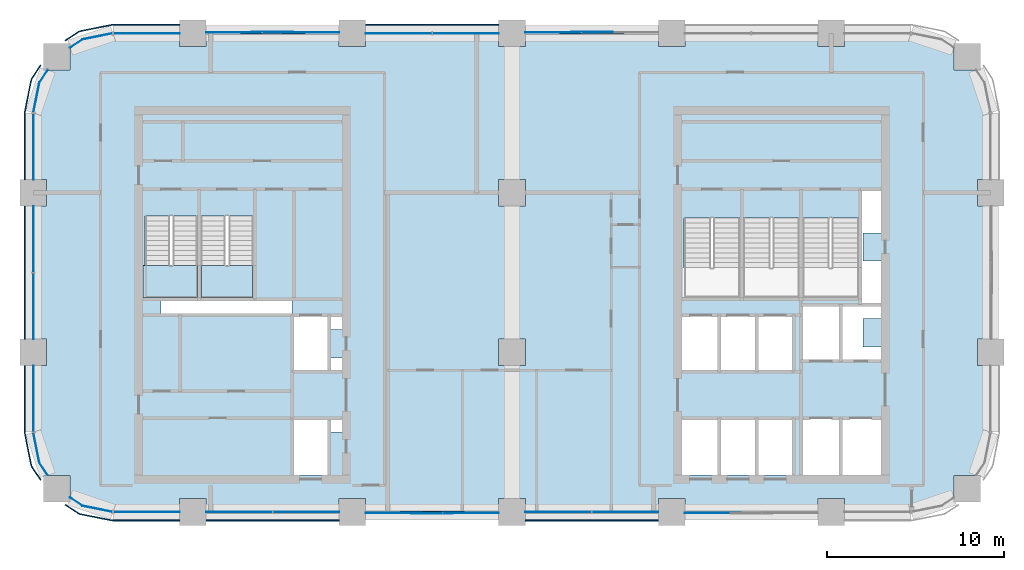
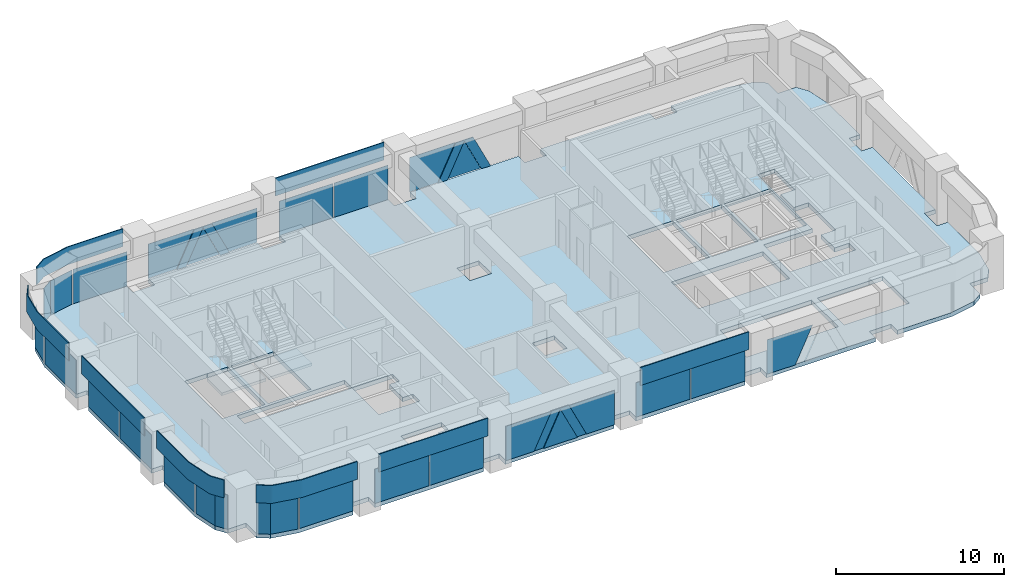
# One storey, part 7 of 19: 36 plates, 3 slabs, 14 elements without a shape of their own.
"""IFC4 building model written with IfcOpenShell, lengths in metres."""

import ifcopenshell
import ifcopenshell.guid

model = None  # the IFC model being written
_history = None  # IfcOwnerHistory: only IFC2X3 demands one
_inside = {}  # id of a spatial element -> (the spatial element, [elements in it])
_under = {}  # id of a project, library or spatial element -> (it, [spatial elements below it])
_declared = {}  # id of a project -> (the project, [libraries it declares])
_typed = {}  # id of a type object -> (the type object, [elements of that type])
_made_of = {}  # id of a material, layer set ... -> (it, [elements and type objects made of it])


def new_model(schema):
    """Start an empty IFC model of exactly this schema.

    Asked for "IFC4X3", IfcOpenShell would pick the latest addendum, in which some entities
    have other attributes; the version numbers below select the first issue.
    IFC2X3 requires an IfcOwnerHistory on every rooted entity: one is made here for all.
    """
    global model, _history
    if schema == "IFC4X3":
        model = ifcopenshell.file(schema_version=(4, 3, 0, 0))
    else:
        model = ifcopenshell.file(schema=schema)
    _inside.clear()
    _under.clear()
    _declared.clear()
    _typed.clear()
    _made_of.clear()
    _history = None
    if model.schema == "IFC2X3":
        org = make("IfcOrganization", Name="unknown")
        user = make(
            "IfcPersonAndOrganization",
            ThePerson=make("IfcPerson", FamilyName="unknown"),
            TheOrganization=org,
        )
        app = make(
            "IfcApplication",
            ApplicationDeveloper=org,
            Version="unknown",
            ApplicationFullName="unknown",
            ApplicationIdentifier="unknown",
        )
        _history = make(
            "IfcOwnerHistory",
            OwningUser=user,
            OwningApplication=app,
            ChangeAction="ADDED",
            CreationDate=0,
        )
    return model


def make(cls, **values):
    """One entity of the class cls with the attributes given. An attribute that is None is left unset."""
    return model.create_entity(
        cls, **{name: value for name, value in values.items() if value is not None}
    )


def rooted(cls, **values):
    """An entity with a GlobalId (a new one), such as an element, a storey or a relation."""
    return make(cls, GlobalId=ifcopenshell.guid.new(), OwnerHistory=_history, **values)


def si_unit(unit_type, name, prefix=None):
    """IfcSIUnit, for example si_unit("LENGTHUNIT", "METRE", prefix="MILLI")."""
    return make("IfcSIUnit", UnitType=unit_type, Prefix=prefix, Name=name)


def assignment(units):
    """IfcUnitAssignment: the units of a project."""
    return None if units is None else make("IfcUnitAssignment", Units=units)


def point(xyz):
    """IfcCartesianPoint."""
    return None if xyz is None else make("IfcCartesianPoint", Coordinates=xyz)


def direction(xyz):
    """IfcDirection."""
    return None if xyz is None else make("IfcDirection", DirectionRatios=xyz)


def frame(location, z_axis=None, x_axis=None):
    """IfcAxis2Placement3D, a coordinate frame: its origin and axes. An axis left out is left unset."""
    return make(
        "IfcAxis2Placement3D",
        Location=point(location),
        Axis=direction(z_axis),
        RefDirection=direction(x_axis),
    )


def frame_2d(location, x_axis=None):
    """IfcAxis2Placement2D, a coordinate frame in the plane: its origin and x axis."""
    return make(
        "IfcAxis2Placement2D", Location=point(location), RefDirection=direction(x_axis)
    )


def origin():
    """The frame at (0, 0, 0) with its axes left unset."""
    return frame((0.0, 0.0, 0.0))


def origin_2d():
    """The frame at (0, 0) in the plane with its x axis left unset."""
    return frame_2d((0.0, 0.0))


def place(relative_to, where):
    """IfcLocalPlacement: puts the frame where relative to a parent placement (None: the world)."""
    return make(
        "IfcLocalPlacement", PlacementRelTo=relative_to, RelativePlacement=where
    )


def context(
    kind, dimensions, precision=None, world=None, true_north=None, identifier=None
):
    """IfcGeometricRepresentationContext, for example the 3D "Model" context."""
    return make(
        "IfcGeometricRepresentationContext",
        ContextIdentifier=identifier,
        ContextType=kind,
        CoordinateSpaceDimension=dimensions,
        Precision=precision,
        WorldCoordinateSystem=world,
        TrueNorth=true_north,
    )


def subcontext(parent, identifier, kind, view, scale=None):
    """IfcGeometricRepresentationSubContext, for example "Body" below "Model"."""
    return make(
        "IfcGeometricRepresentationSubContext",
        ContextIdentifier=identifier,
        ContextType=kind,
        ParentContext=parent,
        TargetScale=scale,
        TargetView=view,
    )


def project(units=None, contexts=None):
    """IfcProject with its units and contexts."""
    return rooted(
        "IfcProject",
        Name="project",
        RepresentationContexts=contexts,
        UnitsInContext=assignment(units),
    )


def spatial(cls, under=None, at=None, **own):
    """A site, building, storey or space (cls), placed at a placement, below another one or the project."""
    s = rooted(cls, ObjectPlacement=at, **own)
    if under is not None:
        _under.setdefault(under.id(), (under, []))[1].append(s)
    return s


def polyline(points):
    """IfcPolyline through the points."""
    return make("IfcPolyline", Points=[point(p) for p in points])


def profile(cls, at=None, kind="AREA", **sizes):
    """A parametric profile (cls). Its sizes go by their IFC names, for example OverallWidth=200.0."""
    return make(cls, ProfileType=kind, Position=at, **sizes)


def rectangle(**sizes):
    """IfcRectangleProfileDef."""
    return profile("IfcRectangleProfileDef", **sizes)


def outline(outer, holes=None, kind="AREA"):
    """IfcArbitraryClosedProfileDef: a profile drawn as a closed curve; with holes, ...WithVoids."""
    if holes is None:
        return make("IfcArbitraryClosedProfileDef", ProfileType=kind, OuterCurve=outer)
    return make(
        "IfcArbitraryProfileDefWithVoids",
        ProfileType=kind,
        OuterCurve=outer,
        InnerCurves=holes,
    )


def extrude(swept, where, along, depth):
    """IfcExtrudedAreaSolid: the profile swept, set in the frame where, extruded along a direction by depth."""
    return make(
        "IfcExtrudedAreaSolid",
        SweptArea=swept,
        Position=where,
        ExtrudedDirection=direction(along),
        Depth=depth,
    )


def shape(context_of_items, identifier, shape_type, items):
    """IfcShapeRepresentation: the items that make up one representation, for example the "Body"."""
    return make(
        "IfcShapeRepresentation",
        ContextOfItems=context_of_items,
        RepresentationIdentifier=identifier,
        RepresentationType=shape_type,
        Items=items,
    )


def material(Name=None, Category=None):
    """IfcMaterial."""
    return make("IfcMaterial", Name=Name, Category=Category)


def layer(
    of_material, thickness, ventilated=None, Name=None, Category=None, Priority=None
):
    """IfcMaterialLayer: one layer of a wall or slab, of a material (None: an air gap)."""
    return make(
        "IfcMaterialLayer",
        Material=of_material,
        LayerThickness=thickness,
        IsVentilated=ventilated,
        Name=Name,
        Category=Category,
        Priority=Priority,
    )


def layer_set(layers, Name=None):
    """IfcMaterialLayerSet."""
    return make("IfcMaterialLayerSet", MaterialLayers=layers, LayerSetName=Name)


def made_of(thing, what):
    """Note that an element or type object is made of a material, layer set ...; save() writes the relation."""
    if what is not None:
        _made_of.setdefault(what.id(), (what, []))[1].append(thing)
    return thing


def type_object(cls, material=None, **own):
    """A type object (cls), such as IfcWallType, which elements share."""
    return made_of(rooted(cls, **own), material)


def element(
    cls,
    number,
    at=None,
    inside=None,
    cuts=None,
    type_object=None,
    material=None,
    context=None,
    identifier="Body",
    shape_type=None,
    held_by="IfcProductDefinitionShape",
    body=None,
    shapes=None,
    **own,
):
    """One element of the class cls, such as IfcWall. Its Tag is "e" and its number.

    at: its placement. inside: the storey or other place that contains it. cuts: it is an
    opening in that element (IfcRelVoidsElement). A single representation is given by context,
    identifier, shape_type and body (its items); several are given by shapes. held_by: the class
    of the entity that holds the representations. save() writes the other relations.
    """
    e = rooted(cls, Tag="e%d" % number, ObjectPlacement=at, **own)
    if body is not None:
        shapes = [shape(context, identifier, shape_type, body)]
    if shapes is not None:
        e.Representation = make(held_by, Representations=shapes)
    if inside is not None:
        _inside.setdefault(inside.id(), (inside, []))[1].append(e)
    if cuts is not None:
        rooted(
            "IfcRelVoidsElement", RelatingBuildingElement=cuts, RelatedOpeningElement=e
        )
    if type_object is not None:
        _typed.setdefault(type_object.id(), (type_object, []))[1].append(e)
    return made_of(e, material)


def aggregate(whole, parts):
    """IfcRelAggregates: a whole, such as a stair, and the parts it consists of."""
    return rooted("IfcRelAggregates", RelatingObject=whole, RelatedObjects=parts)


def save(model, path):
    """Write the relations noted so far, then the file.

    IfcRelAggregates (storeys below a building ...), IfcRelContainedInSpatialStructure (elements
    in a storey), IfcRelDefinesByType, IfcRelAssociatesMaterial and IfcRelDeclares: one each for
    every whole, place, type object, material and project.
    """
    for whole, parts in _under.values():
        aggregate(whole, parts)
    for where, things in _inside.values():
        rooted(
            "IfcRelContainedInSpatialStructure",
            RelatedElements=things,
            RelatingStructure=where,
        )
    for kind, things in _typed.values():
        rooted("IfcRelDefinesByType", RelatedObjects=things, RelatingType=kind)
    for what, things in _made_of.values():
        rooted("IfcRelAssociatesMaterial", RelatedObjects=things, RelatingMaterial=what)
    for by, libraries in _declared.values():
        rooted("IfcRelDeclares", RelatingContext=by, RelatedDefinitions=libraries)
    model.write(path)


model = new_model("IFC4")

# Units and contexts
model_context = context("Model", 3, precision=1e-05, world=origin(), true_north=direction((0.0, 1.0)))
body_context = subcontext(model_context, "Body", "Model", "MODEL_VIEW")
ifc_project = project(units=[si_unit("LENGTHUNIT", "METRE"), si_unit("AREAUNIT", "SQUARE_METRE"), si_unit("VOLUMEUNIT", "CUBIC_METRE"), si_unit("PLANEANGLEUNIT", "RADIAN"), si_unit("MASSUNIT", "GRAM", prefix="KILO")], contexts=[model_context])

# Site, building, storey
site_placement = place(None, origin())
site = spatial("IfcSite", under=ifc_project, at=site_placement, CompositionType="ELEMENT")
building_placement = place(site_placement, origin())
building = spatial("IfcBuilding", under=site, at=building_placement, Name="Tessera Arch", CompositionType="ELEMENT")
storey_placement = place(building_placement, frame((0.0, 0.0, 170.0)))
storey = spatial("IfcBuildingStorey", under=building, at=storey_placement, Name="L40", CompositionType="ELEMENT", Elevation=170.0)

# Curtain wall, plates
ifc_material_1 = material(Name="CW1 curtain wall")
curtain_wall_type_1 = type_object("IfcCurtainWallType", Name="CW1 curtain wall", PredefinedType="NOTDEFINED", material=ifc_material_1)
curtain_wall_1_placement = place(storey_placement, origin())
curtain_wall_1 = element("IfcCurtainWall", 1, at=curtain_wall_1_placement, inside=storey, type_object=curtain_wall_type_1, Name="CW1 curtain wall N54.0/3 L40", PredefinedType="NOTDEFINED")
ifc_material_2 = material(Name="Clear low-e glass", Category="glass")
ifc_material_3 = material(Name="Clear low-e glass", Category="glass")
ifc_layer_1 = layer(ifc_material_3, 0.028076171875)
ifc_layer_set_1 = layer_set([ifc_layer_1], Name="CW1 glass panel")
plate_type_1 = type_object("IfcPlateType", Name="CW1 glass panel", PredefinedType="CURTAIN_PANEL", material=ifc_layer_set_1)
plate_1_placement = place(storey_placement, frame((24.389892578125, 54.0, 0.0), z_axis=(0.0, 0.0, 1.0), x_axis=(-1.0, 0.0, 0.0)))
plate_1 = element("IfcPlate", 2, at=plate_1_placement, type_object=plate_type_1, material=ifc_material_2, Name="CW1 glass panel N54.0/3 1.1.1", PredefinedType="CURTAIN_PANEL", context=body_context, shape_type="SweptSolid", body=[
    extrude(rectangle(XDim=3.719970703125, YDim=0.028076171875, at=origin_2d()), origin(), (0.0, 0.0, 1.0), 2.5),
])
plate_2_placement = place(storey_placement, frame((20.610107421875, 54.0, 0.0), z_axis=(0.0, 0.0, 1.0), x_axis=(-1.0, 0.0, 0.0)))
plate_2 = element("IfcPlate", 3, at=plate_2_placement, type_object=plate_type_1, material=ifc_material_2, Name="CW1 glass panel N54.0/3 1.2.1", PredefinedType="CURTAIN_PANEL", context=body_context, shape_type="SweptSolid", body=[
    extrude(rectangle(XDim=3.719970703125, YDim=0.028076171875, at=origin_2d()), origin(), (0.0, 0.0, 1.0), 2.5),
])

curtain_wall_2_placement = place(storey_placement, origin())
curtain_wall_2 = element("IfcCurtainWall", 4, at=curtain_wall_2_placement, inside=storey, type_object=curtain_wall_type_1, Name="CW1 curtain wall W0.27/1 L40", PredefinedType="NOTDEFINED")
plate_3_placement = place(storey_placement, frame((0.0, 42.389892578125, 0.0), z_axis=(0.0, 0.0, 1.0), x_axis=(0.0, -1.0, 0.0)))
plate_3 = element("IfcPlate", 5, at=plate_3_placement, type_object=plate_type_1, material=ifc_material_2, Name="CW1 glass panel W0.27/1 1.1.1", PredefinedType="CURTAIN_PANEL", context=body_context, shape_type="SweptSolid", body=[
    extrude(rectangle(XDim=3.719970703125, YDim=0.028076171875, at=origin_2d()), origin(), (0.0, 0.0, 1.0), 2.5),
])
plate_4_placement = place(storey_placement, frame((0.0, 38.610107421875, 0.0), z_axis=(0.0, 0.0, 1.0), x_axis=(0.0, -1.0, 0.0)))
plate_4 = element("IfcPlate", 6, at=plate_4_placement, type_object=plate_type_1, material=ifc_material_2, Name="CW1 glass panel W0.27/1 1.2.1", PredefinedType="CURTAIN_PANEL", context=body_context, shape_type="SweptSolid", body=[
    extrude(rectangle(XDim=3.719970703125, YDim=0.028076171875, at=origin_2d()), origin(), (0.0, 0.0, 1.0), 2.5),
])

curtain_wall_3_placement = place(storey_placement, origin())
curtain_wall_3 = element("IfcCurtainWall", 7, at=curtain_wall_3_placement, inside=storey, type_object=curtain_wall_type_1, Name="CW1 curtain wall S27.0/1 L40", PredefinedType="NOTDEFINED")
plate_5_placement = place(storey_placement, frame((11.610107421875, 27.0, 0.0), z_axis=(0.0, 0.0, 1.0), x_axis=(1.0, 0.0, 0.0)))
plate_5 = element("IfcPlate", 8, at=plate_5_placement, type_object=plate_type_1, material=ifc_material_2, Name="CW1 glass panel S27.0/1 1.1.1", PredefinedType="CURTAIN_PANEL", context=body_context, shape_type="SweptSolid", body=[
    extrude(rectangle(XDim=3.719970703125, YDim=0.028076171875, at=origin_2d()), origin(), (0.0, 0.0, 1.0), 2.5),
])
plate_6_placement = place(storey_placement, frame((15.389892578125, 27.0, 0.0), z_axis=(0.0, 0.0, 1.0), x_axis=(1.0, 0.0, 0.0)))
plate_6 = element("IfcPlate", 9, at=plate_6_placement, type_object=plate_type_1, material=ifc_material_2, Name="CW1 glass panel S27.0/1 1.2.1", PredefinedType="CURTAIN_PANEL", context=body_context, shape_type="SweptSolid", body=[
    extrude(rectangle(XDim=3.719970703125, YDim=0.028076171875, at=origin_2d()), origin(), (0.0, 0.0, 1.0), 2.5),
])

curtain_wall_4_placement = place(storey_placement, origin())
curtain_wall_4 = element("IfcCurtainWall", 10, at=curtain_wall_4_placement, inside=storey, type_object=curtain_wall_type_1, Name="CW1 curtain wall S27.0/3 L40", PredefinedType="NOTDEFINED")
plate_7_placement = place(storey_placement, frame((29.610107421875, 27.0, 0.0), z_axis=(0.0, 0.0, 1.0), x_axis=(1.0, 0.0, 0.0)))
plate_7 = element("IfcPlate", 11, at=plate_7_placement, type_object=plate_type_1, material=ifc_material_2, Name="CW1 glass panel S27.0/3 1.1.1", PredefinedType="CURTAIN_PANEL", context=body_context, shape_type="SweptSolid", body=[
    extrude(rectangle(XDim=3.719970703125, YDim=0.028076171875, at=origin_2d()), origin(), (0.0, 0.0, 1.0), 2.5),
])
plate_8_placement = place(storey_placement, frame((33.389892578125, 27.0, 0.0), z_axis=(0.0, 0.0, 1.0), x_axis=(1.0, 0.0, 0.0)))
plate_8 = element("IfcPlate", 12, at=plate_8_placement, type_object=plate_type_1, material=ifc_material_2, Name="CW1 glass panel S27.0/3 1.2.1", PredefinedType="CURTAIN_PANEL", context=body_context, shape_type="SweptSolid", body=[
    extrude(rectangle(XDim=3.719970703125, YDim=0.028076171875, at=origin_2d()), origin(), (0.0, 0.0, 1.0), 2.5),
])

# Plate
ifc_material_4 = material(Name="Pale anodised aluminium panel", Category="aluminium")
ifc_layer_2 = layer(ifc_material_4, 0.06005859375)
ifc_layer_set_2 = layer_set([ifc_layer_2], Name="CW1 spandrel panel")
plate_type_2 = type_object("IfcPlateType", Name="CW1 spandrel panel", PredefinedType="CURTAIN_PANEL", material=ifc_layer_set_2)
plate_9_placement = place(storey_placement, frame((22.5, 54.47998046875, 2.60009765625), z_axis=(0.0, 0.0, 1.0), x_axis=(-1.0, 0.0, 0.0)))
plate_9 = element("IfcPlate", 13, at=plate_9_placement, type_object=plate_type_2, Name="CW1 spandrel panel N54.0/3", PredefinedType="CURTAIN_PANEL", context=body_context, shape_type="SweptSolid", body=[
    extrude(rectangle(XDim=7.5, YDim=0.06005859375, at=origin_2d()), origin(), (0.0, 0.0, 1.0), 1.300048828125),
])

aggregate(curtain_wall_1, [plate_1, plate_2, plate_9])

plate_10_placement = place(storey_placement, frame((-0.47998046875, 40.5, 2.60009765625), z_axis=(0.0, 0.0, 1.0), x_axis=(0.0, -1.0, 0.0)))
plate_10 = element("IfcPlate", 14, at=plate_10_placement, type_object=plate_type_2, Name="CW1 spandrel panel W0.27/1", PredefinedType="CURTAIN_PANEL", context=body_context, shape_type="SweptSolid", body=[
    extrude(rectangle(XDim=7.5, YDim=0.06005859375, at=origin_2d()), origin(), (0.0, 0.0, 1.0), 1.300048828125),
])

aggregate(curtain_wall_2, [plate_3, plate_4, plate_10])

plate_11_placement = place(storey_placement, frame((13.5, 26.52001953125, 2.60009765625), z_axis=(0.0, 0.0, 1.0), x_axis=(1.0, 0.0, 0.0)))
plate_11 = element("IfcPlate", 15, at=plate_11_placement, type_object=plate_type_2, Name="CW1 spandrel panel S27.0/1", PredefinedType="CURTAIN_PANEL", context=body_context, shape_type="SweptSolid", body=[
    extrude(rectangle(XDim=7.5, YDim=0.06005859375, at=origin_2d()), origin(), (0.0, 0.0, 1.0), 1.300048828125),
])

aggregate(curtain_wall_3, [plate_5, plate_6, plate_11])

plate_12_placement = place(storey_placement, frame((31.5, 26.52001953125, 2.60009765625), z_axis=(0.0, 0.0, 1.0), x_axis=(1.0, 0.0, 0.0)))
plate_12 = element("IfcPlate", 16, at=plate_12_placement, type_object=plate_type_2, Name="CW1 spandrel panel S27.0/3", PredefinedType="CURTAIN_PANEL", context=body_context, shape_type="SweptSolid", body=[
    extrude(rectangle(XDim=7.5, YDim=0.06005859375, at=origin_2d()), origin(), (0.0, 0.0, 1.0), 1.300048828125),
])

aggregate(curtain_wall_4, [plate_7, plate_8, plate_12])

# Curtain wall, plates
ifc_material_5 = material(Name="CW2 curtain wall")
curtain_wall_type_2 = type_object("IfcCurtainWallType", Name="CW2 curtain wall", PredefinedType="NOTDEFINED", material=ifc_material_5)
curtain_wall_5_placement = place(storey_placement, origin())
curtain_wall_5 = element("IfcCurtainWall", 17, at=curtain_wall_5_placement, inside=storey, type_object=curtain_wall_type_2, Name="CW2 curtain wall N54.0/5 L40", PredefinedType="NOTDEFINED")
ifc_material_6 = material(Name="Clear low-e glass", Category="glass")
ifc_layer_3 = layer(ifc_material_6, 0.028076171875)
ifc_layer_set_3 = layer_set([ifc_layer_3], Name="CW2 glass panel")
plate_type_3 = type_object("IfcPlateType", Name="CW2 glass panel", PredefinedType="CURTAIN_PANEL", material=ifc_layer_set_3)
plate_13_placement = place(storey_placement, frame((6.39501953125, 54.0, 0.0), z_axis=(0.0, 0.0, 1.0), x_axis=(-1.0, 0.0, 0.0)))
plate_13 = element("IfcPlate", 18, at=plate_13_placement, type_object=plate_type_3, material=ifc_material_2, Name="CW2 glass panel N54.0/5 1.1", PredefinedType="CURTAIN_PANEL", context=body_context, shape_type="SweptSolid", body=[
    extrude(rectangle(XDim=3.7099609375, YDim=0.028076171875, at=origin_2d()), origin(), (0.0, 0.0, 1.0), 2.5),
])
plate_14_placement = place(storey_placement, origin())
plate_14 = element("IfcPlate", 19, at=plate_14_placement, type_object=plate_type_3, material=ifc_material_2, Name="CW2 curved glass panel N54.0/5 2.1", PredefinedType="CURTAIN_PANEL", context=body_context, shape_type="SweptSolid", body=[
    extrude(outline(polyline([(2.783447265625, 53.644287109375), (4.46337890625, 53.978515625), (4.4580078125, 54.005859375), (2.7724609375, 53.670654296875), (2.060302734375, 53.19482421875), (2.07568359375, 53.17138671875), (2.783447265625, 53.644287109375)])), origin(), (0.0, 0.0, 1.0), 2.5),
])

curtain_wall_6_placement = place(storey_placement, origin())
curtain_wall_6 = element("IfcCurtainWall", 20, at=curtain_wall_6_placement, inside=storey, type_object=curtain_wall_type_2, Name="CW2 curtain wall W0.27/0 L40", PredefinedType="NOTDEFINED")
plate_15_placement = place(storey_placement, frame((0.0, 47.60498046875, 0.0), z_axis=(0.0, 0.0, 1.0), x_axis=(0.0, -1.0, 0.0)))
plate_15 = element("IfcPlate", 21, at=plate_15_placement, type_object=plate_type_3, material=ifc_material_2, Name="CW2 glass panel W0.27/0 1.1", PredefinedType="CURTAIN_PANEL", context=body_context, shape_type="SweptSolid", body=[
    extrude(rectangle(XDim=3.7099609375, YDim=0.028076171875, at=origin_2d()), origin(), (0.0, 0.0, 1.0), 2.5),
])
plate_16_placement = place(storey_placement, origin())
plate_16 = element("IfcPlate", 22, at=plate_16_placement, type_object=plate_type_3, material=ifc_material_2, Name="CW2 curved glass panel W0.27/0 2.1", PredefinedType="CURTAIN_PANEL", context=body_context, shape_type="SweptSolid", body=[
    extrude(outline(polyline([(0.355712890625, 51.216552734375), (0.82861328125, 51.92431640625), (0.80517578125, 51.939697265625), (0.329345703125, 51.2275390625), (-0.005859375, 49.5419921875), (0.021484375, 49.53662109375), (0.355712890625, 51.216552734375)])), origin(), (0.0, 0.0, 1.0), 2.5),
])

curtain_wall_7_placement = place(storey_placement, origin())
curtain_wall_7 = element("IfcCurtainWall", 23, at=curtain_wall_7_placement, inside=storey, type_object=curtain_wall_type_2, Name="CW2 curtain wall W0.27/2 L40", PredefinedType="NOTDEFINED")
plate_17_placement = place(storey_placement, frame((0.0, 33.39501953125, 0.0), z_axis=(0.0, 0.0, 1.0), x_axis=(0.0, -1.0, 0.0)))
plate_17 = element("IfcPlate", 24, at=plate_17_placement, type_object=plate_type_3, material=ifc_material_2, Name="CW2 glass panel W0.27/2 1.1", PredefinedType="CURTAIN_PANEL", context=body_context, shape_type="SweptSolid", body=[
    extrude(rectangle(XDim=3.7099609375, YDim=0.028076171875, at=origin_2d()), origin(), (0.0, 0.0, 1.0), 2.5),
])
plate_18_placement = place(storey_placement, origin())
plate_18 = element("IfcPlate", 25, at=plate_18_placement, type_object=plate_type_3, material=ifc_material_2, Name="CW2 curved glass panel W0.27/2 2.1", PredefinedType="CURTAIN_PANEL", context=body_context, shape_type="SweptSolid", body=[
    extrude(outline(polyline([(0.355712890625, 29.783447265625), (0.021484375, 31.46337890625), (-0.005859375, 31.4580078125), (0.329345703125, 29.7724609375), (0.80517578125, 29.060302734375), (0.82861328125, 29.07568359375), (0.355712890625, 29.783447265625)])), origin(), (0.0, 0.0, 1.0), 2.5),
])

curtain_wall_8_placement = place(storey_placement, origin())
curtain_wall_8 = element("IfcCurtainWall", 26, at=curtain_wall_8_placement, inside=storey, type_object=curtain_wall_type_2, Name="CW2 curtain wall S27.0/0 L40", PredefinedType="NOTDEFINED")
plate_19_placement = place(storey_placement, frame((6.39501953125, 27.0, 0.0), z_axis=(0.0, 0.0, 1.0), x_axis=(1.0, 0.0, 0.0)))
plate_19 = element("IfcPlate", 27, at=plate_19_placement, type_object=plate_type_3, material=ifc_material_2, Name="CW2 glass panel S27.0/0 1.1", PredefinedType="CURTAIN_PANEL", context=body_context, shape_type="SweptSolid", body=[
    extrude(rectangle(XDim=3.7099609375, YDim=0.028076171875, at=origin_2d()), origin(), (0.0, 0.0, 1.0), 2.5),
])
plate_20_placement = place(storey_placement, origin())
plate_20 = element("IfcPlate", 28, at=plate_20_placement, type_object=plate_type_3, material=ifc_material_2, Name="CW2 curved glass panel S27.0/0 2.1", PredefinedType="CURTAIN_PANEL", context=body_context, shape_type="SweptSolid", body=[
    extrude(outline(polyline([(2.783447265625, 27.355712890625), (2.07568359375, 27.82861328125), (2.060302734375, 27.80517578125), (2.7724609375, 27.329345703125), (4.4580078125, 26.994140625), (4.46337890625, 27.021484375), (2.783447265625, 27.355712890625)])), origin(), (0.0, 0.0, 1.0), 2.5),
])

# Plate
ifc_material_7 = material(Name="Pale anodised aluminium panel", Category="aluminium")
ifc_layer_4 = layer(ifc_material_7, 0.06005859375)
ifc_layer_set_4 = layer_set([ifc_layer_4], Name="CW2 spandrel panel")
plate_type_4 = type_object("IfcPlateType", Name="CW2 spandrel panel", PredefinedType="CURTAIN_PANEL", material=ifc_layer_set_4)
plate_21_placement = place(storey_placement, frame((0.0, 0.0, 2.60009765625)))
plate_21 = element("IfcPlate", 29, at=plate_21_placement, type_object=plate_type_4, Name="CW2 spandrel panel N54.0/5", PredefinedType="CURTAIN_PANEL", context=body_context, shape_type="SweptSolid", body=[
    extrude(outline(polyline([(4.500732421875, 54.449951171875), (8.25, 54.449951171875), (8.25, 54.510009765625), (4.499267578125, 54.510009765625), (4.449951171875, 54.507568359375), (4.401123046875, 54.500244140625), (2.677734375, 54.157470703125), (2.6298828125, 54.1455078125), (2.582763671875, 54.128662109375), (2.537353515625, 54.107421875), (2.4951171875, 54.08203125), (1.78466796875, 53.607177734375), (1.81787109375, 53.55712890625), (2.52734375, 54.03125), (2.565673828125, 54.054443359375), (2.605712890625, 54.0732421875), (2.647216796875, 54.088134765625), (2.69091796875, 54.09912109375), (4.411376953125, 54.441162109375), (4.455810546875, 54.44775390625), (4.500732421875, 54.449951171875)])), origin(), (0.0, 0.0, 1.0), 1.2998046875),
])

aggregate(curtain_wall_5, [plate_13, plate_14, plate_21])

plate_22_placement = place(storey_placement, frame((0.0, 0.0, 2.60009765625)))
plate_22 = element("IfcPlate", 30, at=plate_22_placement, type_object=plate_type_4, Name="CW2 spandrel panel W0.27/0", PredefinedType="CURTAIN_PANEL", context=body_context, shape_type="SweptSolid", body=[
    extrude(outline(polyline([(-0.03125, 51.47265625), (0.44287109375, 52.18212890625), (0.392822265625, 52.21533203125), (-0.08203125, 51.5048828125), (-0.107421875, 51.462646484375), (-0.128662109375, 51.417236328125), (-0.1455078125, 51.3701171875), (-0.157470703125, 51.322265625), (-0.500244140625, 49.598876953125), (-0.507568359375, 49.550048828125), (-0.510009765625, 49.500732421875), (-0.510009765625, 45.75), (-0.449951171875, 45.75), (-0.449951171875, 49.499267578125), (-0.44775390625, 49.544189453125), (-0.441162109375, 49.588623046875), (-0.09912109375, 51.30908203125), (-0.088134765625, 51.352783203125), (-0.0732421875, 51.394287109375), (-0.054443359375, 51.434326171875), (-0.03125, 51.47265625)])), origin(), (0.0, 0.0, 1.0), 1.2998046875),
])

aggregate(curtain_wall_6, [plate_15, plate_16, plate_22])

plate_23_placement = place(storey_placement, frame((0.0, 0.0, 2.60009765625)))
plate_23 = element("IfcPlate", 31, at=plate_23_placement, type_object=plate_type_4, Name="CW2 spandrel panel W0.27/2", PredefinedType="CURTAIN_PANEL", context=body_context, shape_type="SweptSolid", body=[
    extrude(outline(polyline([(-0.449951171875, 31.500732421875), (-0.449951171875, 35.25), (-0.510009765625, 35.25), (-0.510009765625, 31.499267578125), (-0.507568359375, 31.449951171875), (-0.500244140625, 31.401123046875), (-0.157470703125, 29.677734375), (-0.1455078125, 29.6298828125), (-0.128662109375, 29.582763671875), (-0.107421875, 29.537353515625), (-0.08203125, 29.4951171875), (0.392822265625, 28.78466796875), (0.44287109375, 28.81787109375), (-0.03125, 29.52734375), (-0.054443359375, 29.565673828125), (-0.0732421875, 29.605712890625), (-0.088134765625, 29.647216796875), (-0.09912109375, 29.69091796875), (-0.441162109375, 31.411376953125), (-0.44775390625, 31.455810546875), (-0.449951171875, 31.500732421875)])), origin(), (0.0, 0.0, 1.0), 1.2998046875),
])

aggregate(curtain_wall_7, [plate_17, plate_18, plate_23])

plate_24_placement = place(storey_placement, frame((0.0, 0.0, 2.60009765625)))
plate_24 = element("IfcPlate", 32, at=plate_24_placement, type_object=plate_type_4, Name="CW2 spandrel panel S27.0/0", PredefinedType="CURTAIN_PANEL", context=body_context, shape_type="SweptSolid", body=[
    extrude(outline(polyline([(2.52734375, 26.96875), (1.81787109375, 27.44287109375), (1.78466796875, 27.392822265625), (2.4951171875, 26.91796875), (2.537353515625, 26.892578125), (2.582763671875, 26.871337890625), (2.6298828125, 26.8544921875), (2.677734375, 26.842529296875), (4.401123046875, 26.499755859375), (4.449951171875, 26.492431640625), (4.499267578125, 26.489990234375), (8.25, 26.489990234375), (8.25, 26.550048828125), (4.500732421875, 26.550048828125), (4.455810546875, 26.55224609375), (4.411376953125, 26.558837890625), (2.69091796875, 26.90087890625), (2.647216796875, 26.911865234375), (2.605712890625, 26.9267578125), (2.565673828125, 26.945556640625), (2.52734375, 26.96875)])), origin(), (0.0, 0.0, 1.0), 1.2998046875),
])

aggregate(curtain_wall_8, [plate_19, plate_20, plate_24])

# Curtain wall, plate
ifc_material_8 = material(Name="CW3 curtain wall")
curtain_wall_type_3 = type_object("IfcCurtainWallType", Name="CW3 curtain wall", PredefinedType="NOTDEFINED", material=ifc_material_8)
curtain_wall_9_placement = place(storey_placement, origin())
curtain_wall_9 = element("IfcCurtainWall", 33, at=curtain_wall_9_placement, inside=storey, type_object=curtain_wall_type_3, Name="CW3 curtain wall N54.0/2 L40", PredefinedType="NOTDEFINED")
ifc_material_9 = material(Name="Pale anodised aluminium panel", Category="aluminium")
ifc_layer_5 = layer(ifc_material_9, 0.06005859375)
ifc_layer_set_5 = layer_set([ifc_layer_5], Name="CW3 diagonal panel")
plate_type_5 = type_object("IfcPlateType", Name="CW3 diagonal panel", PredefinedType="CURTAIN_PANEL", material=ifc_layer_set_5)
plate_25_placement = place(storey_placement, frame((30.891357421875, 54.030029296875, 2.5), z_axis=(0.0, 1.0, 0.0), x_axis=(1.0, 0.0, 0.0)))
plate_25 = element("IfcPlate", 34, at=plate_25_placement, type_object=plate_type_5, Name="CW3 diagonal panel N54.0/2 1", PredefinedType="CURTAIN_PANEL", context=body_context, shape_type="SweptSolid", body=[
    extrude(outline(polyline([(0.0, 0.0), (1.21728515625, 0.0), (2.419189453125, 2.5), (1.77880859375, 2.5), (0.608642578125, 0.06591796875), (-0.5615234375, 2.5), (-1.201904296875, 2.5), (0.0, 0.0)])), origin(), (0.0, 0.0, -1.0), 0.06005859375),
])

curtain_wall_10_placement = place(storey_placement, origin())
curtain_wall_10 = element("IfcCurtainWall", 35, at=curtain_wall_10_placement, inside=storey, type_object=curtain_wall_type_3, Name="CW3 curtain wall N54.0/4 L40", PredefinedType="NOTDEFINED")
plate_26_placement = place(storey_placement, frame((12.891357421875, 54.030029296875, 2.5), z_axis=(0.0, 1.0, 0.0), x_axis=(1.0, 0.0, 0.0)))
plate_26 = element("IfcPlate", 36, at=plate_26_placement, type_object=plate_type_5, Name="CW3 diagonal panel N54.0/4 1", PredefinedType="CURTAIN_PANEL", context=body_context, shape_type="SweptSolid", body=[
    extrude(outline(polyline([(0.0, 0.0), (1.21728515625, 0.0), (2.419189453125, 2.5), (1.77880859375, 2.5), (0.608642578125, 0.06591796875), (-0.5615234375, 2.5), (-1.201904296875, 2.5), (0.0, 0.0)])), origin(), (0.0, 0.0, -1.0), 0.06005859375),
])

curtain_wall_11_placement = place(storey_placement, origin())
curtain_wall_11 = element("IfcCurtainWall", 37, at=curtain_wall_11_placement, inside=storey, type_object=curtain_wall_type_3, Name="CW3 curtain wall S27.0/2 L40", PredefinedType="NOTDEFINED")
plate_27_placement = place(storey_placement, frame((23.108642578125, 26.969970703125, 2.5), z_axis=(0.0, -1.0, 0.0), x_axis=(-1.0, 0.0, 0.0)))
plate_27 = element("IfcPlate", 38, at=plate_27_placement, type_object=plate_type_5, Name="CW3 diagonal panel S27.0/2 1", PredefinedType="CURTAIN_PANEL", context=body_context, shape_type="SweptSolid", body=[
    extrude(outline(polyline([(0.0, 0.0), (1.21728515625, 0.0), (2.419189453125, 2.5), (1.77880859375, 2.5), (0.608642578125, 0.06591796875), (-0.5615234375, 2.5), (-1.201904296875, 2.5), (0.0, 0.0)])), origin(), (0.0, 0.0, -1.0), 0.06005859375),
])

# Plate
ifc_material_10 = material(Name="Clear low-e glass", Category="glass")
ifc_layer_6 = layer(ifc_material_10, 0.028076171875)
ifc_layer_set_6 = layer_set([ifc_layer_6], Name="CW3 glass panel")
plate_type_6 = type_object("IfcPlateType", Name="CW3 glass panel", PredefinedType="CURTAIN_PANEL", material=ifc_layer_set_6)
plate_28_placement = place(storey_placement, frame((32.670166015625, 54.0859375, 0.0), z_axis=(0.0, 1.0, 0.0), x_axis=(-1.0, 0.0, 0.0)))
plate_28 = element("IfcPlate", 39, at=plate_28_placement, type_object=plate_type_6, material=ifc_material_2, Name="CW3 triangulated glass panel N54.0/2 2", PredefinedType="CURTAIN_PANEL", context=body_context, shape_type="SweptSolid", body=[
    extrude(outline(polyline([(0.0, 0.0), (2.34033203125, 0.0), (1.170166015625, 2.43408203125), (0.0, 0.0)])), origin(), (0.0, 0.0, -1.0), 0.028076171875),
])

plate_29_placement = place(storey_placement, frame((27.75, 54.05810546875, 2.5), z_axis=(0.0, 1.0, 0.0), x_axis=(1.0, 0.0, 0.0)))
plate_29 = element("IfcPlate", 40, at=plate_29_placement, type_object=plate_type_6, material=ifc_material_2, Name="CW3 triangulated glass panel N54.0/2 3", PredefinedType="CURTAIN_PANEL", context=body_context, shape_type="SweptSolid", body=[
    extrude(outline(polyline([(0.0, 0.0), (3.141357421875, 0.0), (1.939453125, 2.5), (0.0, 2.5), (0.0, 0.0)])), origin(), (0.0, 0.0, -1.0), 0.028076171875),
])

aggregate(curtain_wall_9, [plate_28, plate_29, plate_25])

plate_30_placement = place(storey_placement, frame((17.25, 54.05810546875, 0.0), z_axis=(0.0, 1.0, 0.0), x_axis=(-1.0, 0.0, 0.0)))
plate_30 = element("IfcPlate", 41, at=plate_30_placement, type_object=plate_type_6, material=ifc_material_2, Name="CW3 triangulated glass panel N54.0/4 1", PredefinedType="CURTAIN_PANEL", context=body_context, shape_type="SweptSolid", body=[
    extrude(outline(polyline([(0.0, 0.0), (1.939453125, 0.0), (3.141357421875, 2.5), (0.0, 2.5), (0.0, 0.0)])), origin(), (0.0, 0.0, -1.0), 0.028076171875),
])

plate_31_placement = place(storey_placement, frame((14.670166015625, 54.0859375, 0.0), z_axis=(0.0, 1.0, 0.0), x_axis=(-1.0, 0.0, 0.0)))
plate_31 = element("IfcPlate", 42, at=plate_31_placement, type_object=plate_type_6, material=ifc_material_2, Name="CW3 triangulated glass panel N54.0/4 2", PredefinedType="CURTAIN_PANEL", context=body_context, shape_type="SweptSolid", body=[
    extrude(outline(polyline([(0.0, 0.0), (2.34033203125, 0.0), (1.170166015625, 2.43408203125), (0.0, 0.0)])), origin(), (0.0, 0.0, -1.0), 0.028076171875),
])

plate_32_placement = place(storey_placement, frame((9.75, 54.05810546875, 2.5), z_axis=(0.0, 1.0, 0.0), x_axis=(1.0, 0.0, 0.0)))
plate_32 = element("IfcPlate", 43, at=plate_32_placement, type_object=plate_type_6, material=ifc_material_2, Name="CW3 triangulated glass panel N54.0/4 3", PredefinedType="CURTAIN_PANEL", context=body_context, shape_type="SweptSolid", body=[
    extrude(outline(polyline([(0.0, 0.0), (3.141357421875, 0.0), (1.939453125, 2.5), (0.0, 2.5), (0.0, 0.0)])), origin(), (0.0, 0.0, -1.0), 0.028076171875),
])

aggregate(curtain_wall_10, [plate_30, plate_31, plate_32, plate_26])

plate_33_placement = place(storey_placement, frame((18.75, 26.94189453125, 0.0), z_axis=(0.0, -1.0, 0.0), x_axis=(1.0, 0.0, 0.0)))
plate_33 = element("IfcPlate", 44, at=plate_33_placement, type_object=plate_type_6, material=ifc_material_2, Name="CW3 triangulated glass panel S27.0/2 1", PredefinedType="CURTAIN_PANEL", context=body_context, shape_type="SweptSolid", body=[
    extrude(outline(polyline([(0.0, 0.0), (1.939453125, 0.0), (3.141357421875, 2.5), (0.0, 2.5), (0.0, 0.0)])), origin(), (0.0, 0.0, -1.0), 0.028076171875),
])

plate_34_placement = place(storey_placement, frame((21.329833984375, 26.9140625, 0.0), z_axis=(0.0, -1.0, 0.0), x_axis=(1.0, 0.0, 0.0)))
plate_34 = element("IfcPlate", 45, at=plate_34_placement, type_object=plate_type_6, material=ifc_material_2, Name="CW3 triangulated glass panel S27.0/2 2", PredefinedType="CURTAIN_PANEL", context=body_context, shape_type="SweptSolid", body=[
    extrude(outline(polyline([(0.0, 0.0), (2.34033203125, 0.0), (1.170166015625, 2.43408203125), (0.0, 0.0)])), origin(), (0.0, 0.0, -1.0), 0.028076171875),
])

plate_35_placement = place(storey_placement, frame((26.25, 26.94189453125, 2.5), z_axis=(0.0, -1.0, 0.0), x_axis=(-1.0, 0.0, 0.0)))
plate_35 = element("IfcPlate", 46, at=plate_35_placement, type_object=plate_type_6, material=ifc_material_2, Name="CW3 triangulated glass panel S27.0/2 3", PredefinedType="CURTAIN_PANEL", context=body_context, shape_type="SweptSolid", body=[
    extrude(outline(polyline([(0.0, 0.0), (3.141357421875, 0.0), (1.939453125, 2.5), (0.0, 2.5), (0.0, 0.0)])), origin(), (0.0, 0.0, -1.0), 0.028076171875),
])

aggregate(curtain_wall_11, [plate_33, plate_34, plate_35, plate_27])

# Curtain wall, plate
curtain_wall_12_placement = place(storey_placement, origin())
curtain_wall_12 = element("IfcCurtainWall", 47, at=curtain_wall_12_placement, inside=storey, type_object=curtain_wall_type_3, Name="CW3 curtain wall S27.0/4 L40", PredefinedType="NOTDEFINED")
plate_36_placement = place(storey_placement, frame((36.75, 26.94189453125, 0.0), z_axis=(0.0, -1.0, 0.0), x_axis=(1.0, 0.0, 0.0)))
plate_36 = element("IfcPlate", 48, at=plate_36_placement, type_object=plate_type_6, material=ifc_material_2, Name="CW3 triangulated glass panel S27.0/4 1", PredefinedType="CURTAIN_PANEL", context=body_context, shape_type="SweptSolid", body=[
    extrude(outline(polyline([(0.0, 0.0), (1.939453125, 0.0), (3.141357421875, 2.5), (0.0, 2.5), (0.0, 0.0)])), origin(), (0.0, 0.0, -1.0), 0.028076171875),
])
aggregate(curtain_wall_12, [plate_36])

# Slab
ifc_material_11 = material(Name="Concrete C40/50", Category="concrete")
ifc_layer_7 = layer(ifc_material_11, 0.300048828125)
ifc_layer_set_7 = layer_set([ifc_layer_7], Name="Floor slab 300 Concrete C40/50")
slab_type_1 = type_object("IfcSlabType", Name="Floor slab 300 Concrete C40/50", PredefinedType="FLOOR", material=ifc_layer_set_7)
slab_1_placement = place(storey_placement, frame((0.0, 0.0, -0.300048828125)))
element("IfcSlab", 49, at=slab_1_placement, inside=storey, type_object=slab_type_1, Name="Floor slab L40 1", PredefinedType="FLOOR", context=body_context, shape_type="SweptSolid", body=[
    extrude(outline(polyline([(54.0, 31.5), (53.657470703125, 29.77783203125), (53.18310546875, 29.068115234375), (51.931884765625, 29.068115234375), (51.931884765625, 27.81689453125), (51.22216796875, 27.342529296875), (49.5, 27.0), (45.75, 27.0), (45.75, 27.75), (44.25, 27.75), (44.25, 27.0), (36.75, 27.0), (36.75, 27.75), (35.25, 27.75), (35.25, 27.0), (27.75, 27.0), (27.75, 27.75), (26.25, 27.75), (26.25, 27.0), (18.75, 27.0), (18.75, 27.75), (17.25, 27.75), (17.25, 27.0), (9.75, 27.0), (9.75, 27.75), (8.25, 27.75), (8.25, 27.0), (4.5, 27.0), (2.77783203125, 27.342529296875), (2.068115234375, 27.81689453125), (2.068115234375, 29.068115234375), (0.81689453125, 29.068115234375), (0.342529296875, 29.77783203125), (0.0, 31.5), (0.0, 35.25), (0.75, 35.25), (0.75, 36.75), (0.0, 36.75), (0.0, 44.25), (0.75, 44.25), (0.75, 45.75), (0.0, 45.75), (0.0, 49.5), (0.342529296875, 51.22216796875), (0.81689453125, 51.931884765625), (2.068115234375, 51.931884765625), (2.068115234375, 53.18310546875), (2.77783203125, 53.657470703125), (4.5, 54.0), (8.25, 54.0), (8.25, 53.25), (9.75, 53.25), (9.75, 54.0), (17.25, 54.0), (17.25, 53.25), (18.75, 53.25), (18.75, 54.0), (26.25, 54.0), (26.25, 53.25), (27.75, 53.25), (27.75, 54.0), (35.25, 54.0), (35.25, 53.25), (36.75, 53.25), (36.75, 54.0), (44.25, 54.0), (44.25, 53.25), (45.75, 53.25), (45.75, 54.0), (49.5, 54.0), (51.22216796875, 53.657470703125), (51.931884765625, 53.18310546875), (51.931884765625, 51.931884765625), (53.18310546875, 51.931884765625), (53.657470703125, 51.22216796875), (54.0, 49.5), (54.0, 45.75), (53.25, 45.75), (53.25, 44.25), (54.0, 44.25), (54.0, 36.75), (53.25, 36.75), (53.25, 35.25), (54.0, 35.25), (54.0, 31.5)]), holes=[polyline([(14.60009765625, 29.10009765625), (16.699951171875, 29.10009765625), (16.699951171875, 31.5), (17.39990234375, 31.5), (17.39990234375, 32.300048828125), (16.699951171875, 32.300048828125), (14.60009765625, 32.300048828125), (14.60009765625, 29.10009765625)]), polyline([(26.25, 36.75), (26.25, 35.25), (27.75, 35.25), (27.75, 36.75), (26.25, 36.75)]), polyline([(17.39990234375, 37.300048828125), (17.39990234375, 38.10009765625), (16.699951171875, 38.10009765625), (14.60498046875, 38.10009765625), (14.60498046875, 38.10498046875), (14.60009765625, 38.10498046875), (14.60009765625, 39.0), (7.199951171875, 39.0), (7.199951171875, 38.10009765625), (14.594970703125, 38.10009765625), (14.594970703125, 38.094970703125), (14.60009765625, 38.094970703125), (14.60009765625, 34.89990234375), (16.699951171875, 34.89990234375), (17.39990234375, 34.89990234375), (17.39990234375, 35.699951171875), (16.699951171875, 35.699951171875), (16.699951171875, 37.300048828125), (17.39990234375, 37.300048828125)]), polyline([(6.300048828125, 43.68994140625), (6.300048828125, 39.199951171875), (9.25, 39.199951171875), (9.25, 43.68994140625), (7.85009765625, 43.68994140625), (7.85009765625, 43.699951171875), (7.699951171875, 43.699951171875), (7.699951171875, 43.68994140625), (6.300048828125, 43.68994140625)]), polyline([(9.449951171875, 39.199951171875), (12.39990234375, 39.199951171875), (12.39990234375, 43.68994140625), (11.0, 43.68994140625), (11.0, 43.699951171875), (10.85009765625, 43.699951171875), (10.85009765625, 43.68994140625), (9.449951171875, 43.68994140625), (9.449951171875, 39.199951171875)]), polyline([(38.699951171875, 29.10009765625), (40.800048828125, 29.10009765625), (42.89990234375, 29.10009765625), (42.89990234375, 32.300048828125), (40.800048828125, 32.300048828125), (38.699951171875, 32.300048828125), (36.60009765625, 32.300048828125), (36.60009765625, 29.10009765625), (38.699951171875, 29.10009765625)]), polyline([(45.550048828125, 32.300048828125), (43.300048828125, 32.300048828125), (43.300048828125, 29.10009765625), (45.550048828125, 29.10009765625), (47.800048828125, 29.10009765625), (47.800048828125, 32.300048828125), (45.550048828125, 32.300048828125)]), polyline([(40.800048828125, 34.89990234375), (42.89990234375, 34.89990234375), (42.89990234375, 38.10009765625), (40.800048828125, 38.10009765625), (38.699951171875, 38.10009765625), (36.60009765625, 38.10009765625), (36.60009765625, 34.89990234375), (38.699951171875, 34.89990234375), (40.800048828125, 34.89990234375)]), polyline([(47.800048828125, 42.75), (47.800048828125, 45.199951171875), (46.64990234375, 45.199951171875), (46.64990234375, 38.699951171875), (45.550048828125, 38.699951171875), (43.300048828125, 38.699951171875), (43.300048828125, 35.5), (45.550048828125, 35.5), (47.800048828125, 35.5), (47.800048828125, 36.300048828125), (46.800048828125, 36.300048828125), (46.800048828125, 37.89990234375), (47.800048828125, 37.89990234375), (47.800048828125, 38.699951171875), (47.800048828125, 41.14990234375), (46.800048828125, 41.14990234375), (46.800048828125, 42.75), (47.800048828125, 42.75)]), polyline([(36.699951171875, 39.199951171875), (39.85009765625, 39.199951171875), (39.85009765625, 43.570068359375), (38.330078125, 43.570068359375), (38.330078125, 43.580078125), (38.219970703125, 43.580078125), (38.219970703125, 43.570068359375), (36.699951171875, 43.570068359375), (36.699951171875, 39.199951171875)]), polyline([(40.050048828125, 39.199951171875), (43.199951171875, 39.199951171875), (43.199951171875, 43.570068359375), (41.679931640625, 43.570068359375), (41.679931640625, 43.580078125), (41.570068359375, 43.580078125), (41.570068359375, 43.570068359375), (40.050048828125, 43.570068359375), (40.050048828125, 39.199951171875)]), polyline([(43.39990234375, 43.570068359375), (43.39990234375, 39.199951171875), (46.550048828125, 39.199951171875), (46.550048828125, 43.570068359375), (45.030029296875, 43.570068359375), (45.030029296875, 43.580078125), (44.919921875, 43.580078125), (44.919921875, 43.570068359375), (43.39990234375, 43.570068359375)]), polyline([(26.25, 45.75), (26.25, 44.25), (27.75, 44.25), (27.75, 45.75), (26.25, 45.75)])]), origin(), (0.0, 0.0, 1.0), 0.300048828125),
])

# Stair, slab
ifc_material_12 = material(Name="Concrete C40/50", Category="concrete")
stair_type = type_object("IfcStairType", Name="Dogleg stair 1400", PredefinedType="HALF_TURN_STAIR", material=ifc_material_12)
stair_1_placement = place(storey_placement, origin())
stair_1 = element("IfcStair", 50, at=stair_1_placement, inside=storey, type_object=stair_type, Name="L40 S2a", PredefinedType="HALF_TURN_STAIR")
ifc_material_13 = material(Name="Concrete C40/50", Category="concrete")
ifc_layer_8 = layer(ifc_material_13, 0.300048828125)
ifc_layer_set_8 = layer_set([ifc_layer_8], Name="Stair landing 300")
slab_type_2 = type_object("IfcSlabType", Name="Stair landing 300", PredefinedType="LANDING", material=ifc_layer_set_8)
slab_2_placement = place(storey_placement, frame((0.0, 0.0, 1.75)))
slab_2 = element("IfcSlab", 51, at=slab_2_placement, type_object=slab_type_2, Name="S2a landing 1", PredefinedType="LANDING", context=body_context, shape_type="SweptSolid", body=[
    extrude(outline(polyline([(6.199951171875, 40.89990234375), (6.199951171875, 39.10009765625), (9.25, 39.10009765625), (9.25, 40.89990234375), (6.199951171875, 40.89990234375)])), origin(), (0.0, 0.0, 1.0), 0.199951171875),
])
aggregate(stair_1, [slab_2])

stair_2_placement = place(storey_placement, origin())
stair_2 = element("IfcStair", 52, at=stair_2_placement, inside=storey, type_object=stair_type, Name="L40 S2b", PredefinedType="HALF_TURN_STAIR")
slab_3_placement = place(storey_placement, frame((0.0, 0.0, 1.75)))
slab_3 = element("IfcSlab", 53, at=slab_3_placement, type_object=slab_type_2, Name="S2b landing 1", PredefinedType="LANDING", context=body_context, shape_type="SweptSolid", body=[
    extrude(outline(polyline([(9.449951171875, 40.89990234375), (9.449951171875, 39.10009765625), (12.39990234375, 39.10009765625), (12.39990234375, 40.89990234375), (9.449951171875, 40.89990234375)])), origin(), (0.0, 0.0, 1.0), 0.199951171875),
])
aggregate(stair_2, [slab_3])

save(model, "model.ifc")
